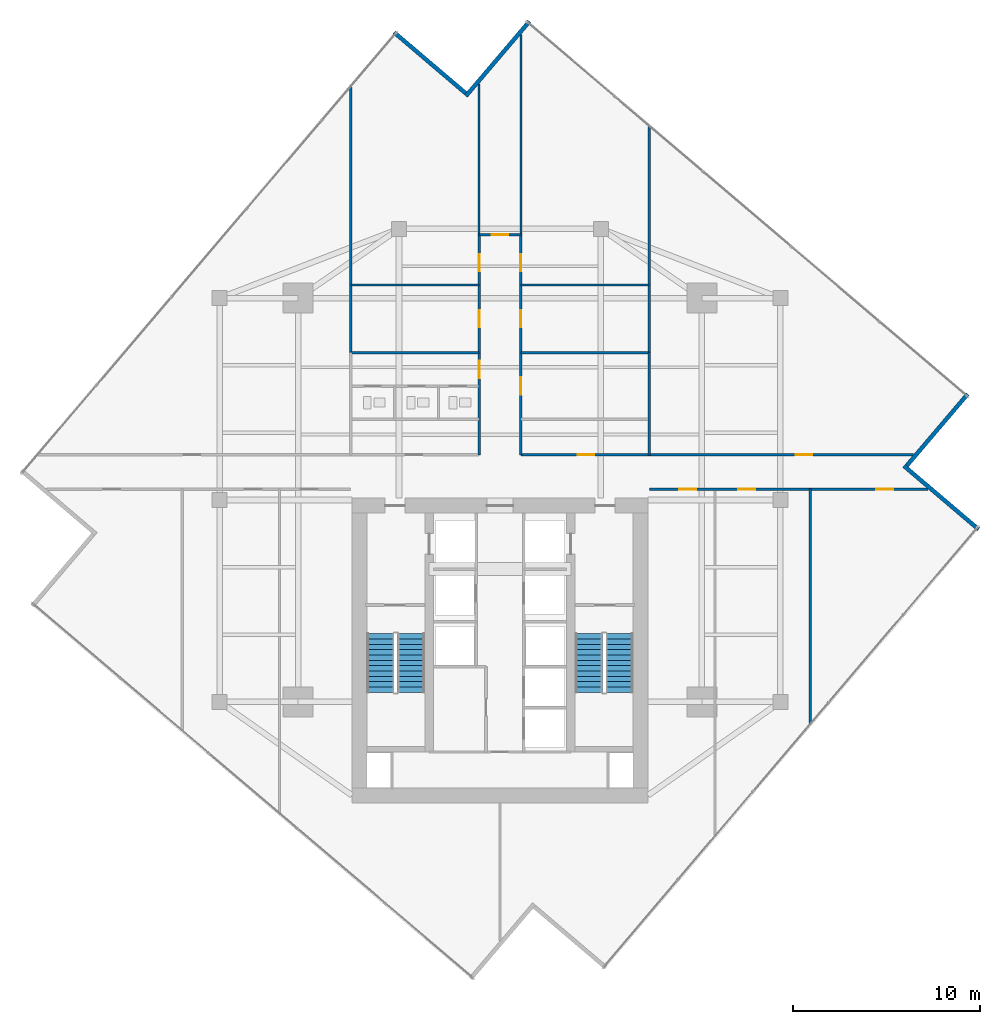
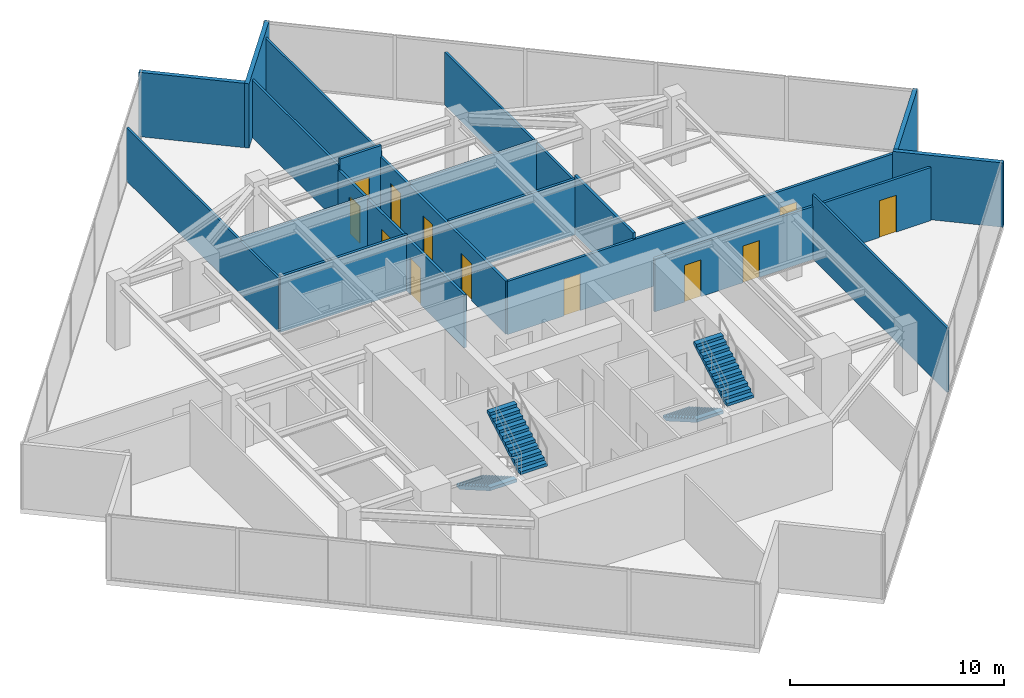
# One storey, part 23 of 25: 19 walls, 12 doors, 4 stair flights, 12 openings, 2 elements without a shape of their own.
"""IFC4 building model written with IfcOpenShell, lengths in metres."""

from ifc_helpers import new_model, si_unit, direction, frame, frame_2d, origin, place, context, subcontext, project, spatial, polyline, rectangle, outline, extrude, material, layer, layer_set, type_object, element, fill, aggregate, save


model = new_model("IFC4")

# Units and contexts
model_context = context("Model", 3, precision=1e-05, world=origin(), true_north=direction((0.0, 1.0)))
body_context = subcontext(model_context, "Body", "Model", "MODEL_VIEW")
ifc_project = project(units=[si_unit("LENGTHUNIT", "METRE"), si_unit("AREAUNIT", "SQUARE_METRE"), si_unit("VOLUMEUNIT", "CUBIC_METRE"), si_unit("PLANEANGLEUNIT", "RADIAN"), si_unit("MASSUNIT", "GRAM", prefix="KILO")], contexts=[model_context])

# Site, building, storey
site_placement = place(None, origin())
site = spatial("IfcSite", under=ifc_project, at=site_placement, CompositionType="ELEMENT")
building_placement = place(site_placement, origin())
building = spatial("IfcBuilding", under=site, at=building_placement, Name="Krantzveldt Concourse Tower", CompositionType="ELEMENT")
storey_placement = place(building_placement, frame((0.0, 0.0, 215.199951171875)))
storey = spatial("IfcBuildingStorey", under=building, at=storey_placement, Name="L52", CompositionType="ELEMENT", Elevation=215.199951171875)

# Walls
ifc_material_1 = material(Name="Anodised aluminium 6063-T6", Category="aluminium")
ifc_layer_1 = layer(ifc_material_1, 0.219970703125, Name="Anodised aluminium 6063-T6", Category="aluminium")
ifc_layer_set_1 = layer_set([ifc_layer_1], Name="Anodised aluminium 6063-T6 (WL-EXT-NOTCH220)")
wall_type_1 = type_object("IfcWallType", Name="WL-EXT-NOTCH220", PredefinedType="ELEMENTEDWALL", material=ifc_layer_set_1)
wall_1_placement = place(storey_placement, frame((34.1611328125, 48.465087890625, 0.0), z_axis=(0.0, 0.0, 1.0), x_axis=(-0.761819427757, 0.647789440707, 0.0)))
element("IfcWall", 1, at=wall_1_placement, inside=storey, type_object=wall_type_1, Name="EW-L52-NCH00", PredefinedType="ELEMENTEDWALL", context=body_context, shape_type="SweptSolid", body=[
    extrude(rectangle(XDim=5.02490234375, YDim=0.219970703125, at=frame_2d((2.512451171875, 0.0))), origin(), (0.0, 0.0, 1.0), 3.670166015625),
])
wall_2_placement = place(storey_placement, frame((61.605712890625, 25.128662109375, 0.0), z_axis=(0.0, 0.0, 1.0), x_axis=(-0.761826750047, 0.647780829381, 0.0)))
element("IfcWall", 2, at=wall_2_placement, inside=storey, type_object=wall_type_1, Name="EW-L52-NCH08", PredefinedType="ELEMENTEDWALL", context=body_context, shape_type="SweptSolid", body=[
    extrude(rectangle(XDim=5.244873046875, YDim=0.219970703125, at=frame_2d((2.62255859375, 0.0))), origin(), (0.0, 0.0, 1.0), 3.670166015625),
])
wall_3_placement = place(storey_placement, frame((57.76513671875, 28.538818359375, 0.0), z_axis=(0.0, 0.0, 1.0), x_axis=(0.647789440707, 0.761819427757, 0.0)))
element("IfcWall", 3, at=wall_3_placement, inside=storey, type_object=wall_type_1, Name="EW-L52-NCH09", PredefinedType="ELEMENTEDWALL", context=body_context, shape_type="SweptSolid", body=[
    extrude(rectangle(XDim=5.02490234375, YDim=0.219970703125, at=frame_2d((2.512451171875, 0.0))), origin(), (0.0, 0.0, 1.0), 3.670166015625),
])
wall_4_placement = place(storey_placement, frame((37.571533203125, 52.305908203125, 0.0), z_axis=(0.0, 0.0, 1.0), x_axis=(-0.647784873465, -0.761823311346, 0.0)))
element("IfcWall", 4, at=wall_4_placement, inside=storey, type_object=wall_type_1, Name="EW-L52-NCH11", PredefinedType="ELEMENTEDWALL", context=body_context, shape_type="SweptSolid", body=[
    extrude(rectangle(XDim=5.2451171875, YDim=0.219970703125, at=frame_2d((2.62255859375, 0.0))), origin(), (0.0, 0.0, 1.0), 3.670166015625),
])
ifc_material_2 = material(Name="Fire-rated gypsum plasterboard on steel stud", Category="steel")
ifc_layer_2 = layer(ifc_material_2, 0.1201171875, Name="Fire-rated gypsum plasterboard on steel stud", Category="steel")
ifc_layer_set_2 = layer_set([ifc_layer_2], Name="Fire-rated gypsum plasterboard on steel stud (WL-PART-120)")
wall_type_2 = type_object("IfcWallType", Name="WL-PART-120", PredefinedType="PARTITIONING", material=ifc_layer_set_2)
wall_5_placement = place(storey_placement, frame((34.8798828125, 40.8798828125, 0.0), z_axis=(0.0, 0.0, 1.0), x_axis=(0.0, 1.0, 0.0)))
element("IfcWall", 5, at=wall_5_placement, inside=storey, type_object=wall_type_2, Name="WP-L52-NTL", PredefinedType="PARTITIONING", context=body_context, shape_type="SweptSolid", body=[
    extrude(rectangle(XDim=8.083251953125, YDim=0.1201171875, at=frame_2d((4.04150390625, 0.0))), origin(), (0.0, 0.0, 1.0), 3.280029296875),
])
wall_6_placement = place(storey_placement, frame((37.1201171875, 40.8798828125, 0.0), z_axis=(0.0, 0.0, 1.0), x_axis=(0.0, 1.0, 0.0)))
element("IfcWall", 6, at=wall_6_placement, inside=storey, type_object=wall_type_2, Name="WP-L52-NTR", PredefinedType="PARTITIONING", context=body_context, shape_type="SweptSolid", body=[
    extrude(rectangle(XDim=10.717529296875, YDim=0.1201171875, at=frame_2d((5.35888671875, 0.0))), origin(), (0.0, 0.0, 1.0), 3.280029296875),
])
wall_7_placement = place(storey_placement, frame((28.02001953125, 34.580078125, 0.0), z_axis=(0.0, 0.0, 1.0), x_axis=(0.0, 1.0, 0.0)))
element("IfcWall", 7, at=wall_7_placement, inside=storey, type_object=wall_type_2, Name="WP-L52-ISWL2", PredefinedType="PARTITIONING", context=body_context, shape_type="SweptSolid", body=[
    extrude(rectangle(XDim=14.242431640625, YDim=0.1201171875, at=frame_2d((7.12109375, 0.0))), origin(), (0.0, 0.0, 1.0), 3.030029296875),
])
wall_8_placement = place(storey_placement, frame((43.97998046875, 34.580078125, 0.0), z_axis=(0.0, 0.0, 1.0), x_axis=(0.0, 1.0, 0.0)))
element("IfcWall", 8, at=wall_8_placement, inside=storey, type_object=wall_type_2, Name="WP-L52-ISER2", PredefinedType="PARTITIONING", context=body_context, shape_type="SweptSolid", body=[
    extrude(rectangle(XDim=12.12548828125, YDim=0.1201171875, at=frame_2d((6.062744140625, 0.0))), origin(), (0.0, 0.0, 1.0), 3.030029296875),
])
for number, where, z_axis, x_axis, name in (
    (9, (28.02001953125, 38.199951171875, 0.0), (0.0, 0.0, 1.0), (1.0, 0.0, 0.0), "WP-L52-NWIY"),
    (10, (37.1201171875, 38.199951171875, 0.0), (0.0, 0.0, 1.0), (1.0, 0.0, 0.0), "WP-L52-NEIY"),
):
    element("IfcWall", number, at=place(storey_placement, frame(where, z_axis=z_axis, x_axis=x_axis)), inside=storey, type_object=wall_type_2, Name=name, PredefinedType="PARTITIONING", context=body_context, shape_type="SweptSolid", body=[
        extrude(rectangle(XDim=6.85986328125, YDim=0.1201171875, at=frame_2d((3.429931640625, 0.0))), origin(), (0.0, 0.0, 1.0), 3.179931640625),
    ])
wall_9_placement = place(storey_placement, frame((52.60009765625, 14.71484375, 0.0), z_axis=(0.0, 0.0, 1.0), x_axis=(0.0, 1.0, 0.0)))
element("IfcWall", 11, at=wall_9_placement, inside=storey, type_object=wall_type_2, Name="WP-L52-SEX2", PredefinedType="PARTITIONING", context=body_context, shape_type="SweptSolid", body=[
    extrude(rectangle(XDim=12.565185546875, YDim=0.1201171875, at=frame_2d((6.28271484375, 0.0))), origin(), (0.0, 0.0, 1.0), 3.670166015625),
])

# Wall, openings, doors
ifc_layer_3 = layer(ifc_material_2, 0.139892578125, Name="Fire-rated gypsum plasterboard on steel stud", Category="steel")
ifc_layer_set_3 = layer_set([ifc_layer_3], Name="Fire-rated gypsum plasterboard on steel stud (WL-PART-140)")
wall_type_3 = type_object("IfcWallType", Name="WL-PART-140", PredefinedType="PARTITIONING", material=ifc_layer_set_3)
wall_10_placement = place(storey_placement, frame((34.8798828125, 29.1201171875, 0.0), z_axis=(0.0, 0.0, 1.0), x_axis=(0.0, 1.0, 0.0)))
wall_10 = element("IfcWall", 12, at=wall_10_placement, inside=storey, type_object=wall_type_3, Name="WP-L52-SPWL", PredefinedType="PARTITIONING", context=body_context, shape_type="SweptSolid", body=[
    extrude(rectangle(XDim=11.759765625, YDim=0.139892578125, at=frame_2d((5.8798828125, 0.0))), origin(), (0.0, 0.0, 1.0), 3.030029296875),
])
opening_1_placement = place(wall_10_placement, frame((4.0849609375, 0.0, 0.0)))
opening_1 = element("IfcOpeningElement", 13, at=opening_1_placement, cuts=wall_10, Name="Opening D-IN095", PredefinedType="OPENING", context=body_context, shape_type="SweptSolid", body=[
    extrude(rectangle(XDim=0.949951171875, YDim=2.10009765625, at=frame_2d((0.47509765625, 1.050048828125))), frame((0.0, 0.080078125, 0.0), z_axis=(0.0, -1.0, 0.0), x_axis=(1.0, 0.0, 0.0)), (0.0, 0.0, 1.0), 0.159912109375),
])
opening_2_placement = place(wall_10_placement, frame((6.820068359375, 0.0, 0.0)))
opening_2 = element("IfcOpeningElement", 14, at=opening_2_placement, cuts=wall_10, Name="Opening D-IN090", PredefinedType="OPENING", context=body_context, shape_type="SweptSolid", body=[
    extrude(rectangle(XDim=0.89990234375, YDim=2.10009765625, at=frame_2d((0.449951171875, 1.050048828125))), frame((0.0, 0.080078125, 0.0), z_axis=(0.0, -1.0, 0.0), x_axis=(1.0, 0.0, 0.0)), (0.0, 0.0, 1.0), 0.159912109375),
])
opening_3_placement = place(wall_10_placement, frame((9.830078125, 0.0, 0.0)))
opening_3 = element("IfcOpeningElement", 15, at=opening_3_placement, cuts=wall_10, Name="Opening D-IN090", PredefinedType="OPENING", context=body_context, shape_type="SweptSolid", body=[
    extrude(rectangle(XDim=0.89990234375, YDim=2.10009765625, at=frame_2d((0.449951171875, 1.050048828125))), frame((0.0, 0.080078125, 0.0), z_axis=(0.0, -1.0, 0.0), x_axis=(1.0, 0.0, 0.0)), (0.0, 0.0, 1.0), 0.159912109375),
])
ifc_material_3 = material(Name="Hardwood timber", Category="wood")
door_type_1 = type_object("IfcDoorType", Name="DR-INT-900", OperationType="SINGLE_SWING_LEFT", PredefinedType="DOOR", material=ifc_material_3)
door_1_placement = place(opening_2_placement, origin())
door_1 = element("IfcDoor", 16, at=door_1_placement, inside=storey, type_object=door_type_1, Name="DR-L52-NWI1", OperationType="SINGLE_SWING_LEFT", OverallHeight=2.10009765625, OverallWidth=0.89990234375, PredefinedType="DOOR", context=body_context, shape_type="SweptSolid", body=[
    extrude(rectangle(XDim=0.89990234375, YDim=2.10009765625, at=frame_2d((0.449951171875, 1.050048828125))), frame((0.0, 0.02490234375, 0.0), z_axis=(0.0, -1.0, 0.0), x_axis=(1.0, 0.0, 0.0)), (0.0, 0.0, 1.0), 0.050048828125),
])
fill(opening_2, door_1)
door_2_placement = place(opening_3_placement, origin())
door_2 = element("IfcDoor", 17, at=door_2_placement, inside=storey, type_object=door_type_1, Name="DR-L52-NWI2", OperationType="SINGLE_SWING_LEFT", OverallHeight=2.10009765625, OverallWidth=0.89990234375, PredefinedType="DOOR", context=body_context, shape_type="SweptSolid", body=[
    extrude(rectangle(XDim=0.89990234375, YDim=2.10009765625, at=frame_2d((0.449951171875, 1.050048828125))), frame((0.0, 0.02490234375, 0.0), z_axis=(0.0, -1.0, 0.0), x_axis=(1.0, 0.0, 0.0)), (0.0, 0.0, 1.0), 0.050048828125),
])
fill(opening_3, door_2)
door_type_2 = type_object("IfcDoorType", Name="DR-INT-950", OperationType="SINGLE_SWING_LEFT", PredefinedType="DOOR", material=ifc_material_3)
door_3_placement = place(opening_1_placement, origin())
door_3 = element("IfcDoor", 18, at=door_3_placement, inside=storey, type_object=door_type_2, Name="DR-L52-WCLB", OperationType="SINGLE_SWING_LEFT", OverallHeight=2.10009765625, OverallWidth=0.949951171875, PredefinedType="DOOR", context=body_context, shape_type="SweptSolid", body=[
    extrude(rectangle(XDim=0.949951171875, YDim=2.10009765625, at=frame_2d((0.47509765625, 1.050048828125))), frame((0.0, 0.02490234375, 0.0), z_axis=(0.0, -1.0, 0.0), x_axis=(1.0, 0.0, 0.0)), (0.0, 0.0, 1.0), 0.050048828125),
])
fill(opening_1, door_3)

wall_11_placement = place(storey_placement, frame((37.1201171875, 29.1201171875, 0.0), z_axis=(0.0, 0.0, 1.0), x_axis=(0.0, 1.0, 0.0)))
wall_11 = element("IfcWall", 19, at=wall_11_placement, inside=storey, type_object=wall_type_3, Name="WP-L52-SPER", PredefinedType="PARTITIONING", context=body_context, shape_type="SweptSolid", body=[
    extrude(rectangle(XDim=11.759765625, YDim=0.139892578125, at=frame_2d((5.8798828125, 0.0))), origin(), (0.0, 0.0, 1.0), 3.030029296875),
])
opening_4_placement = place(wall_11_placement, frame((3.205078125, 0.0, 0.0)))
opening_4 = element("IfcOpeningElement", 20, at=opening_4_placement, cuts=wall_11, Name="Opening D-IN095", PredefinedType="OPENING", context=body_context, shape_type="SweptSolid", body=[
    extrude(rectangle(XDim=0.949951171875, YDim=2.10009765625, at=frame_2d((0.47509765625, 1.050048828125))), frame((0.0, 0.080078125, 0.0), z_axis=(0.0, -1.0, 0.0), x_axis=(1.0, 0.0, 0.0)), (0.0, 0.0, 1.0), 0.159912109375),
])
opening_5_placement = place(wall_11_placement, frame((6.820068359375, 0.0, 0.0)))
opening_5 = element("IfcOpeningElement", 21, at=opening_5_placement, cuts=wall_11, Name="Opening D-IN090", PredefinedType="OPENING", context=body_context, shape_type="SweptSolid", body=[
    extrude(rectangle(XDim=0.89990234375, YDim=2.10009765625, at=frame_2d((0.449951171875, 1.050048828125))), frame((0.0, 0.080078125, 0.0), z_axis=(0.0, -1.0, 0.0), x_axis=(1.0, 0.0, 0.0)), (0.0, 0.0, 1.0), 0.159912109375),
])
opening_6_placement = place(wall_11_placement, frame((9.830078125, 0.0, 0.0)))
opening_6 = element("IfcOpeningElement", 22, at=opening_6_placement, cuts=wall_11, Name="Opening D-IN090", PredefinedType="OPENING", context=body_context, shape_type="SweptSolid", body=[
    extrude(rectangle(XDim=0.89990234375, YDim=2.10009765625, at=frame_2d((0.449951171875, 1.050048828125))), frame((0.0, 0.080078125, 0.0), z_axis=(0.0, -1.0, 0.0), x_axis=(1.0, 0.0, 0.0)), (0.0, 0.0, 1.0), 0.159912109375),
])
door_4_placement = place(opening_5_placement, origin())
door_4 = element("IfcDoor", 23, at=door_4_placement, inside=storey, type_object=door_type_1, Name="DR-L52-NEI1", OperationType="SINGLE_SWING_LEFT", OverallHeight=2.10009765625, OverallWidth=0.89990234375, PredefinedType="DOOR", context=body_context, shape_type="SweptSolid", body=[
    extrude(rectangle(XDim=0.89990234375, YDim=2.10009765625, at=frame_2d((0.449951171875, 1.050048828125))), frame((0.0, 0.02490234375, 0.0), z_axis=(0.0, -1.0, 0.0), x_axis=(1.0, 0.0, 0.0)), (0.0, 0.0, 1.0), 0.050048828125),
])
fill(opening_5, door_4)
door_5_placement = place(opening_6_placement, origin())
door_5 = element("IfcDoor", 24, at=door_5_placement, inside=storey, type_object=door_type_1, Name="DR-L52-NEI2", OperationType="SINGLE_SWING_LEFT", OverallHeight=2.10009765625, OverallWidth=0.89990234375, PredefinedType="DOOR", context=body_context, shape_type="SweptSolid", body=[
    extrude(rectangle(XDim=0.89990234375, YDim=2.10009765625, at=frame_2d((0.449951171875, 1.050048828125))), frame((0.0, 0.02490234375, 0.0), z_axis=(0.0, -1.0, 0.0), x_axis=(1.0, 0.0, 0.0)), (0.0, 0.0, 1.0), 0.050048828125),
])
fill(opening_6, door_5)
door_6_placement = place(opening_4_placement, origin())
door_6 = element("IfcDoor", 25, at=door_6_placement, inside=storey, type_object=door_type_2, Name="DR-L52-PNT", OperationType="SINGLE_SWING_RIGHT", OverallHeight=2.10009765625, OverallWidth=0.949951171875, PredefinedType="DOOR", context=body_context, shape_type="SweptSolid", body=[
    extrude(rectangle(XDim=0.949951171875, YDim=2.10009765625, at=frame_2d((0.47509765625, 1.050048828125))), frame((0.0, 0.02490234375, 0.0), z_axis=(0.0, -1.0, 0.0), x_axis=(1.0, 0.0, 0.0)), (0.0, 0.0, 1.0), 0.050048828125),
])
fill(opening_4, door_6)

# Wall, opening, door
wall_12_placement = place(storey_placement, frame((34.8798828125, 40.8798828125, 0.0), z_axis=(0.0, 0.0, 1.0), x_axis=(1.0, 0.0, 0.0)))
wall_12 = element("IfcWall", 26, at=wall_12_placement, inside=storey, type_object=wall_type_3, Name="WP-L52-SPTOP", PredefinedType="PARTITIONING", context=body_context, shape_type="SweptSolid", body=[
    extrude(rectangle(XDim=2.240234375, YDim=0.139892578125, at=frame_2d((1.1201171875, 0.0))), origin(), (0.0, 0.0, 1.0), 3.670166015625),
])
opening_7_placement = place(wall_12_placement, frame((0.669921875, 0.0, 0.0)))
opening_7 = element("IfcOpeningElement", 27, at=opening_7_placement, cuts=wall_12, Name="Opening D-IN090", PredefinedType="OPENING", context=body_context, shape_type="SweptSolid", body=[
    extrude(rectangle(XDim=0.89990234375, YDim=2.10009765625, at=frame_2d((0.449951171875, 1.050048828125))), frame((0.0, 0.080078125, 0.0), z_axis=(0.0, -1.0, 0.0), x_axis=(1.0, 0.0, 0.0)), (0.0, 0.0, 1.0), 0.159912109375),
])
door_7_placement = place(opening_7_placement, origin())
door_7 = element("IfcDoor", 28, at=door_7_placement, inside=storey, type_object=door_type_1, Name="DR-L52-NTOP", OperationType="SINGLE_SWING_LEFT", OverallHeight=2.10009765625, OverallWidth=0.89990234375, PredefinedType="DOOR", context=body_context, shape_type="SweptSolid", body=[
    extrude(rectangle(XDim=0.89990234375, YDim=2.10009765625, at=frame_2d((0.449951171875, 1.050048828125))), frame((0.0, 0.02490234375, 0.0), z_axis=(0.0, -1.0, 0.0), x_axis=(1.0, 0.0, 0.0)), (0.0, 0.0, 1.0), 0.050048828125),
])
fill(opening_7, door_7)

# Wall, openings, doors
wall_13_placement = place(storey_placement, frame((37.1201171875, 29.1201171875, 0.0), z_axis=(0.0, 0.0, 1.0), x_axis=(1.0, 0.0, 0.0)))
wall_13 = element("IfcWall", 29, at=wall_13_placement, inside=storey, type_object=wall_type_3, Name="WP-L52-EWNR", PredefinedType="PARTITIONING", context=body_context, shape_type="SweptSolid", body=[
    extrude(rectangle(XDim=20.98828125, YDim=0.139892578125, at=frame_2d((10.494140625, 0.0))), origin(), (0.0, 0.0, 1.0), 3.030029296875),
])
opening_8_placement = place(wall_13_placement, frame((3.030029296875, 0.0, 0.0)))
opening_8 = element("IfcOpeningElement", 30, at=opening_8_placement, cuts=wall_13, Name="Opening D-IN090", PredefinedType="OPENING", context=body_context, shape_type="SweptSolid", body=[
    extrude(rectangle(XDim=0.89990234375, YDim=2.10009765625, at=frame_2d((0.449951171875, 1.050048828125))), frame((0.0, 0.080078125, 0.0), z_axis=(0.0, -1.0, 0.0), x_axis=(1.0, 0.0, 0.0)), (0.0, 0.0, 1.0), 0.159912109375),
])
opening_9_placement = place(wall_13_placement, frame((14.694091796875, 0.0, 0.0)))
opening_9 = element("IfcOpeningElement", 31, at=opening_9_placement, cuts=wall_13, Name="Opening D-IN090", PredefinedType="OPENING", context=body_context, shape_type="SweptSolid", body=[
    extrude(rectangle(XDim=0.89990234375, YDim=2.10009765625, at=frame_2d((0.449951171875, 1.050048828125))), frame((0.0, 0.080078125, 0.0), z_axis=(0.0, -1.0, 0.0), x_axis=(1.0, 0.0, 0.0)), (0.0, 0.0, 1.0), 0.159912109375),
])
door_8_placement = place(opening_8_placement, origin())
door_8 = element("IfcDoor", 32, at=door_8_placement, inside=storey, type_object=door_type_1, Name="DR-L52-ALCR", OperationType="SINGLE_SWING_RIGHT", OverallHeight=2.10009765625, OverallWidth=0.89990234375, PredefinedType="DOOR", context=body_context, shape_type="SweptSolid", body=[
    extrude(rectangle(XDim=0.89990234375, YDim=2.10009765625, at=frame_2d((0.449951171875, 1.050048828125))), frame((0.0, 0.02490234375, 0.0), z_axis=(0.0, -1.0, 0.0), x_axis=(1.0, 0.0, 0.0)), (0.0, 0.0, 1.0), 0.050048828125),
])
fill(opening_8, door_8)
door_9_placement = place(opening_9_placement, origin())
door_9 = element("IfcDoor", 33, at=door_9_placement, inside=storey, type_object=door_type_1, Name="DR-L52-NEX1", OperationType="SINGLE_SWING_RIGHT", OverallHeight=2.10009765625, OverallWidth=0.89990234375, PredefinedType="DOOR", context=body_context, shape_type="SweptSolid", body=[
    extrude(rectangle(XDim=0.89990234375, YDim=2.10009765625, at=frame_2d((0.449951171875, 1.050048828125))), frame((0.0, 0.02490234375, 0.0), z_axis=(0.0, -1.0, 0.0), x_axis=(1.0, 0.0, 0.0)), (0.0, 0.0, 1.0), 0.050048828125),
])
fill(opening_9, door_9)

wall_14_placement = place(storey_placement, frame((44.0, 27.280029296875, 0.0), z_axis=(0.0, 0.0, 1.0), x_axis=(1.0, 0.0, 0.0)))
wall_14 = element("IfcWall", 34, at=wall_14_placement, inside=storey, type_object=wall_type_3, Name="WP-L52-EWSR", PredefinedType="PARTITIONING", context=body_context, shape_type="SweptSolid", body=[
    extrude(rectangle(XDim=14.898193359375, YDim=0.139892578125, at=frame_2d((7.44921875, 0.0))), origin(), (0.0, 0.0, 1.0), 3.030029296875),
])
opening_10_placement = place(wall_14_placement, frame((1.60009765625, 0.0, 0.0)))
opening_10 = element("IfcOpeningElement", 35, at=opening_10_placement, cuts=wall_14, Name="Opening D-IN090", PredefinedType="OPENING", context=body_context, shape_type="SweptSolid", body=[
    extrude(rectangle(XDim=0.89990234375, YDim=2.10009765625, at=frame_2d((0.449951171875, 1.050048828125))), frame((0.0, 0.080078125, 0.0), z_axis=(0.0, -1.0, 0.0), x_axis=(1.0, 0.0, 0.0)), (0.0, 0.0, 1.0), 0.159912109375),
])
opening_11_placement = place(wall_14_placement, frame((4.75, 0.0, 0.0)))
opening_11 = element("IfcOpeningElement", 36, at=opening_11_placement, cuts=wall_14, Name="Opening D-IN090", PredefinedType="OPENING", context=body_context, shape_type="SweptSolid", body=[
    extrude(rectangle(XDim=0.89990234375, YDim=2.10009765625, at=frame_2d((0.449951171875, 1.050048828125))), frame((0.0, 0.080078125, 0.0), z_axis=(0.0, -1.0, 0.0), x_axis=(1.0, 0.0, 0.0)), (0.0, 0.0, 1.0), 0.159912109375),
])
opening_12_placement = place(wall_14_placement, frame((12.1240234375, 0.0, 0.0)))
opening_12 = element("IfcOpeningElement", 37, at=opening_12_placement, cuts=wall_14, Name="Opening D-IN090", PredefinedType="OPENING", context=body_context, shape_type="SweptSolid", body=[
    extrude(rectangle(XDim=0.89990234375, YDim=2.10009765625, at=frame_2d((0.449951171875, 1.050048828125))), frame((0.0, 0.080078125, 0.0), z_axis=(0.0, -1.0, 0.0), x_axis=(1.0, 0.0, 0.0)), (0.0, 0.0, 1.0), 0.159912109375),
])
door_10_placement = place(opening_10_placement, origin())
door_10 = element("IfcDoor", 38, at=door_10_placement, inside=storey, type_object=door_type_1, Name="DR-L52-SEX1", OperationType="SINGLE_SWING_RIGHT", OverallHeight=2.10009765625, OverallWidth=0.89990234375, PredefinedType="DOOR", context=body_context, shape_type="SweptSolid", body=[
    extrude(rectangle(XDim=0.89990234375, YDim=2.10009765625, at=frame_2d((0.449951171875, 1.050048828125))), frame((0.0, 0.02490234375, 0.0), z_axis=(0.0, -1.0, 0.0), x_axis=(1.0, 0.0, 0.0)), (0.0, 0.0, 1.0), 0.050048828125),
])
fill(opening_10, door_10)
door_11_placement = place(opening_11_placement, origin())
door_11 = element("IfcDoor", 39, at=door_11_placement, inside=storey, type_object=door_type_1, Name="DR-L52-SEX2", OperationType="SINGLE_SWING_RIGHT", OverallHeight=2.10009765625, OverallWidth=0.89990234375, PredefinedType="DOOR", context=body_context, shape_type="SweptSolid", body=[
    extrude(rectangle(XDim=0.89990234375, YDim=2.10009765625, at=frame_2d((0.449951171875, 1.050048828125))), frame((0.0, 0.02490234375, 0.0), z_axis=(0.0, -1.0, 0.0), x_axis=(1.0, 0.0, 0.0)), (0.0, 0.0, 1.0), 0.050048828125),
])
fill(opening_11, door_11)
door_12_placement = place(opening_12_placement, origin())
door_12 = element("IfcDoor", 40, at=door_12_placement, inside=storey, type_object=door_type_1, Name="DR-L52-SEX3", OperationType="SINGLE_SWING_RIGHT", OverallHeight=2.10009765625, OverallWidth=0.89990234375, PredefinedType="DOOR", context=body_context, shape_type="SweptSolid", body=[
    extrude(rectangle(XDim=0.89990234375, YDim=2.10009765625, at=frame_2d((0.449951171875, 1.050048828125))), frame((0.0, 0.02490234375, 0.0), z_axis=(0.0, -1.0, 0.0), x_axis=(1.0, 0.0, 0.0)), (0.0, 0.0, 1.0), 0.050048828125),
])
fill(opening_12, door_12)

# Walls
for number, where, z_axis, x_axis, name in (
    (41, (28.02001953125, 34.580078125, 0.0), (0.0, 0.0, 1.0), (1.0, 0.0, 0.0), "WP-L52-ISNL"),
    (42, (37.1201171875, 34.580078125, 0.0), (0.0, 0.0, 1.0), (1.0, 0.0, 0.0), "WP-L52-ISNR"),
):
    element("IfcWall", number, at=place(storey_placement, frame(where, z_axis=z_axis, x_axis=x_axis)), inside=storey, type_object=wall_type_3, Name=name, PredefinedType="PARTITIONING", context=body_context, shape_type="SweptSolid", body=[
        extrude(rectangle(XDim=6.85986328125, YDim=0.139892578125, at=frame_2d((3.429931640625, 0.0))), origin(), (0.0, 0.0, 1.0), 3.179931640625),
    ])
wall_15_placement = place(storey_placement, frame((43.97998046875, 29.1201171875, 0.0), z_axis=(0.0, 0.0, 1.0), x_axis=(0.0, 1.0, 0.0)))
element("IfcWall", 43, at=wall_15_placement, inside=storey, type_object=wall_type_3, Name="WP-L52-ISER", PredefinedType="PARTITIONING", context=body_context, shape_type="SweptSolid", body=[
    extrude(rectangle(XDim=5.4599609375, YDim=0.139892578125, at=frame_2d((2.72998046875, 0.0))), origin(), (0.0, 0.0, 1.0), 3.3701171875),
])

# Stair, stair flights
ifc_material_4 = material(Name="Precast concrete C40/50", Category="concrete")
stair_type = type_object("IfcStairType", Name="STR-CORE-DOGLEG", PredefinedType="HALF_TURN_STAIR", material=ifc_material_4)
stair_1_placement = place(storey_placement, origin())
stair_1 = element("IfcStair", 44, at=stair_1_placement, inside=storey, type_object=stair_type, Name="L52 Protected Escape Stair ST-1", PredefinedType="HALF_TURN_STAIR")
stair_flight_type = type_object("IfcStairFlightType", Name="STF-CORE-1450", PredefinedType="STRAIGHT", material=ifc_material_4)
stair_flight_1_placement = place(storey_placement, frame((29.60498046875, 19.550048828125, 0.0), z_axis=(0.0, 0.0, 1.0), x_axis=(0.0, -1.0, 0.0)))
stair_flight_1 = element("IfcStairFlight", 45, at=stair_flight_1_placement, type_object=stair_flight_type, Name="ST-1 flight 1", NumberOfRisers=12, NumberOfTreads=11, PredefinedType="STRAIGHT", RiserHeight=0.164583333, TreadLength=0.285, context=body_context, shape_type="SweptSolid", body=[
    extrude(outline(polyline([(0.0, 0.0), (0.0, 0.16455078125), (0.284912109375, 0.16455078125), (0.284912109375, 0.3291015625), (0.570068359375, 0.3291015625), (0.570068359375, 0.49365234375), (0.85498046875, 0.49365234375), (0.85498046875, 0.658447265625), (1.139892578125, 0.658447265625), (1.139892578125, 0.822998046875), (1.425048828125, 0.822998046875), (1.425048828125, 0.987548828125), (1.7099609375, 0.987548828125), (1.7099609375, 1.152099609375), (1.9951171875, 1.152099609375), (1.9951171875, 1.316650390625), (2.280029296875, 1.316650390625), (2.280029296875, 1.481201171875), (2.56494140625, 1.481201171875), (2.56494140625, 1.645751953125), (2.85009765625, 1.645751953125), (2.85009765625, 1.810302734375), (3.135009765625, 1.810302734375), (3.135009765625, 1.97509765625), (3.135009765625, 1.63720703125), (0.2998046875, 0.0), (0.0, 0.0)])), frame((0.0, 0.72509765625, 0.0), z_axis=(0.0, -1.0, 0.0), x_axis=(1.0, 0.0, 0.0)), (0.0, 0.0, 1.0), 1.449951171875),
])
stair_flight_2_placement = place(storey_placement, frame((31.2548828125, 16.4150390625, 1.97509765625), z_axis=(0.0, 0.0, 1.0), x_axis=(0.0, 1.0, 0.0)))
stair_flight_2 = element("IfcStairFlight", 46, at=stair_flight_2_placement, type_object=stair_flight_type, Name="ST-1 flight 2", NumberOfRisers=12, NumberOfTreads=11, PredefinedType="STRAIGHT", RiserHeight=0.164583333, TreadLength=0.285, context=body_context, shape_type="SweptSolid", body=[
    extrude(outline(polyline([(0.0, 0.0), (0.0, 0.16455078125), (0.284912109375, 0.16455078125), (0.284912109375, 0.3291015625), (0.570068359375, 0.3291015625), (0.570068359375, 0.49365234375), (0.85498046875, 0.49365234375), (0.85498046875, 0.658447265625), (1.139892578125, 0.658447265625), (1.139892578125, 0.822998046875), (1.425048828125, 0.822998046875), (1.425048828125, 0.987548828125), (1.7099609375, 0.987548828125), (1.7099609375, 1.152099609375), (1.9951171875, 1.152099609375), (1.9951171875, 1.316650390625), (2.280029296875, 1.316650390625), (2.280029296875, 1.481201171875), (2.56494140625, 1.481201171875), (2.56494140625, 1.645751953125), (2.85009765625, 1.645751953125), (2.85009765625, 1.810302734375), (3.135009765625, 1.810302734375), (3.135009765625, 1.97509765625), (3.135009765625, 1.63720703125), (0.2998046875, 0.0), (0.0, 0.0)])), frame((0.0, 0.72509765625, 0.0), z_axis=(0.0, -1.0, 0.0), x_axis=(1.0, 0.0, 0.0)), (0.0, 0.0, 1.0), 1.449951171875),
])
aggregate(stair_1, [stair_flight_1, stair_flight_2])

stair_2_placement = place(storey_placement, origin())
stair_2 = element("IfcStair", 47, at=stair_2_placement, inside=storey, type_object=stair_type, Name="L52 Protected Escape Stair ST-2", PredefinedType="HALF_TURN_STAIR")
stair_flight_3_placement = place(storey_placement, frame((40.7451171875, 19.550048828125, 0.0), z_axis=(0.0, 0.0, 1.0), x_axis=(0.0, -1.0, 0.0)))
stair_flight_3 = element("IfcStairFlight", 48, at=stair_flight_3_placement, type_object=stair_flight_type, Name="ST-2 flight 1", NumberOfRisers=12, NumberOfTreads=11, PredefinedType="STRAIGHT", RiserHeight=0.164583333, TreadLength=0.285, context=body_context, shape_type="SweptSolid", body=[
    extrude(outline(polyline([(0.0, 0.0), (0.0, 0.16455078125), (0.284912109375, 0.16455078125), (0.284912109375, 0.3291015625), (0.570068359375, 0.3291015625), (0.570068359375, 0.49365234375), (0.85498046875, 0.49365234375), (0.85498046875, 0.658447265625), (1.139892578125, 0.658447265625), (1.139892578125, 0.822998046875), (1.425048828125, 0.822998046875), (1.425048828125, 0.987548828125), (1.7099609375, 0.987548828125), (1.7099609375, 1.152099609375), (1.9951171875, 1.152099609375), (1.9951171875, 1.316650390625), (2.280029296875, 1.316650390625), (2.280029296875, 1.481201171875), (2.56494140625, 1.481201171875), (2.56494140625, 1.645751953125), (2.85009765625, 1.645751953125), (2.85009765625, 1.810302734375), (3.135009765625, 1.810302734375), (3.135009765625, 1.97509765625), (3.135009765625, 1.63720703125), (0.2998046875, 0.0), (0.0, 0.0)])), frame((0.0, 0.72509765625, 0.0), z_axis=(0.0, -1.0, 0.0), x_axis=(1.0, 0.0, 0.0)), (0.0, 0.0, 1.0), 1.449951171875),
])
stair_flight_4_placement = place(storey_placement, frame((42.39501953125, 16.4150390625, 1.97509765625), z_axis=(0.0, 0.0, 1.0), x_axis=(0.0, 1.0, 0.0)))
stair_flight_4 = element("IfcStairFlight", 49, at=stair_flight_4_placement, type_object=stair_flight_type, Name="ST-2 flight 2", NumberOfRisers=12, NumberOfTreads=11, PredefinedType="STRAIGHT", RiserHeight=0.164583333, TreadLength=0.285, context=body_context, shape_type="SweptSolid", body=[
    extrude(outline(polyline([(0.0, 0.0), (0.0, 0.16455078125), (0.284912109375, 0.16455078125), (0.284912109375, 0.3291015625), (0.570068359375, 0.3291015625), (0.570068359375, 0.49365234375), (0.85498046875, 0.49365234375), (0.85498046875, 0.658447265625), (1.139892578125, 0.658447265625), (1.139892578125, 0.822998046875), (1.425048828125, 0.822998046875), (1.425048828125, 0.987548828125), (1.7099609375, 0.987548828125), (1.7099609375, 1.152099609375), (1.9951171875, 1.152099609375), (1.9951171875, 1.316650390625), (2.280029296875, 1.316650390625), (2.280029296875, 1.481201171875), (2.56494140625, 1.481201171875), (2.56494140625, 1.645751953125), (2.85009765625, 1.645751953125), (2.85009765625, 1.810302734375), (3.135009765625, 1.810302734375), (3.135009765625, 1.97509765625), (3.135009765625, 1.63720703125), (0.2998046875, 0.0), (0.0, 0.0)])), frame((0.0, 0.72509765625, 0.0), z_axis=(0.0, -1.0, 0.0), x_axis=(1.0, 0.0, 0.0)), (0.0, 0.0, 1.0), 1.449951171875),
])
aggregate(stair_2, [stair_flight_3, stair_flight_4])

save(model, "model.ifc")
